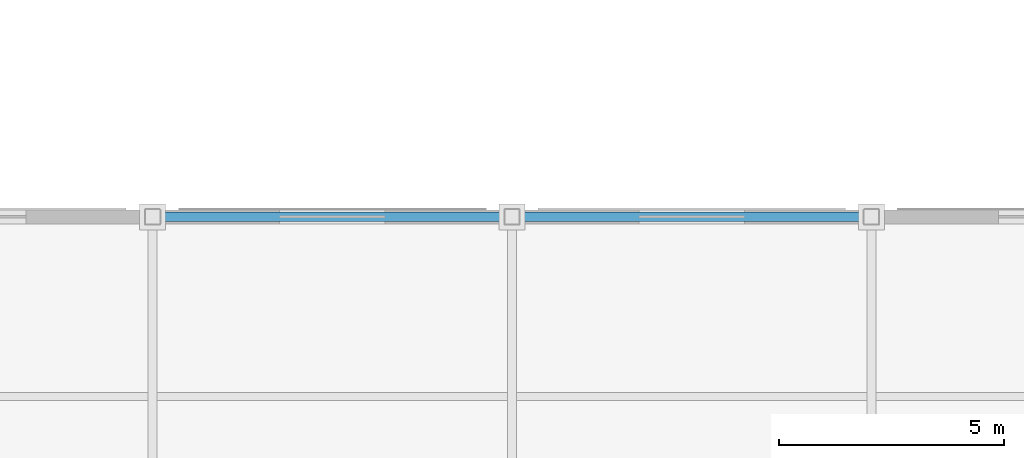
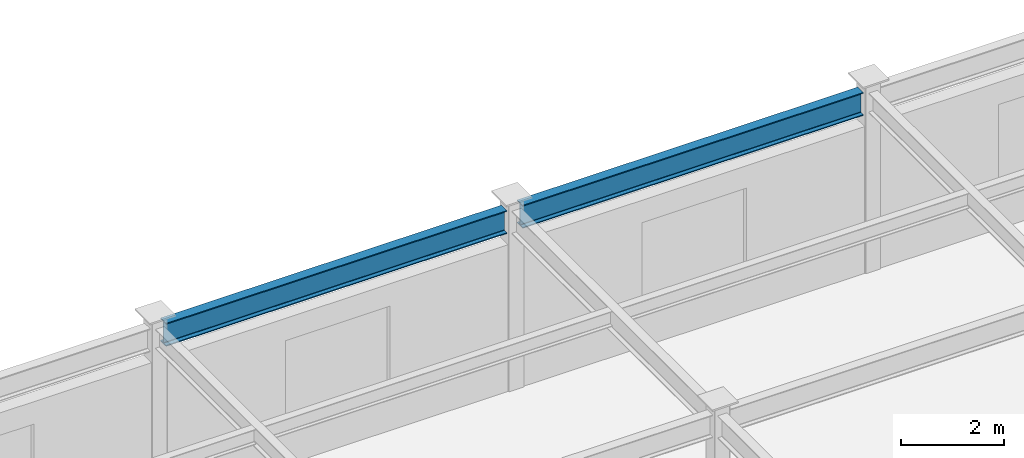
# One storey, part 35 of 111: 2 beams.
"""IFC4 building model written with IfcOpenShell, lengths in metres."""

from ifc_helpers import new_model, si_unit, direction, frame, origin, origin_2d, place, context, subcontext, project, spatial, i_section, extrude, material, material_profile, profile_set, type_object, element, save


model = new_model("IFC4")

# Units and contexts
model_context = context("Model", 3, precision=1e-05, world=origin(), true_north=direction((0.0, 1.0)))
body_context = subcontext(model_context, "Body", "Model", "MODEL_VIEW")
ifc_project = project(units=[si_unit("LENGTHUNIT", "METRE"), si_unit("AREAUNIT", "SQUARE_METRE"), si_unit("VOLUMEUNIT", "CUBIC_METRE"), si_unit("PLANEANGLEUNIT", "RADIAN"), si_unit("MASSUNIT", "GRAM", prefix="KILO")], contexts=[model_context])

# Site, building, storey
site_placement = place(None, origin())
site = spatial("IfcSite", under=ifc_project, at=site_placement, CompositionType="ELEMENT")
building_placement = place(site_placement, origin())
building = spatial("IfcBuilding", under=site, at=building_placement, Name="Solmirada Galleria", CompositionType="ELEMENT")
storey_placement = place(building_placement, frame((0.0, 0.0, 10.39990234375)))
storey = spatial("IfcBuildingStorey", under=building, at=storey_placement, Name="L02", CompositionType="ELEMENT", Elevation=10.39990234375)

# Beams
ifc_material = material(Name="Steel S355 / ASTM A992 Grade 50", Category="steel")
ifc_material_profile = material_profile(ifc_material, i_section(OverallWidth=0.214111328125, OverallDepth=0.549072265625, WebThickness=0.0146484375, FlangeThickness=0.023681640625, FilletRadius=0.014892578125, at=origin_2d()), Name="W21X93")
ifc_profile_set = profile_set([ifc_material_profile], Name="Steel S355 / ASTM A992 Grade 50")
beam_type = type_object("IfcBeamType", Name="BM-GIRD-W21A", PredefinedType="BEAM", material=ifc_profile_set)
for number, where, z_axis, x_axis, name in (
    (1, (152.177978515625, 32.0, 3.985595703125), (1.0, 0.0, 0.0), (0.0, 1.0, 0.0), "Primary beam L03 X(152..160, 32)"),
    (2, (160.177978515625, 32.0, 3.985595703125), (1.0, 0.0, 0.0), (0.0, 1.0, 0.0), "Primary beam L03 X(160..168, 32)"),
):
    element("IfcBeam", number, at=place(storey_placement, frame(where, z_axis=z_axis, x_axis=x_axis)), inside=storey, type_object=beam_type, Name=name, PredefinedType="BEAM", context=body_context, shape_type="SweptSolid", body=[
        extrude(i_section(OverallWidth=0.214111328125, OverallDepth=0.549072265625, WebThickness=0.0146484375, FlangeThickness=0.023681640625, FilletRadius=0.014892578125, at=origin_2d()), origin(), (0.0, 0.0, 1.0), 7.64404296875),
    ])

save(model, "model.ifc")
